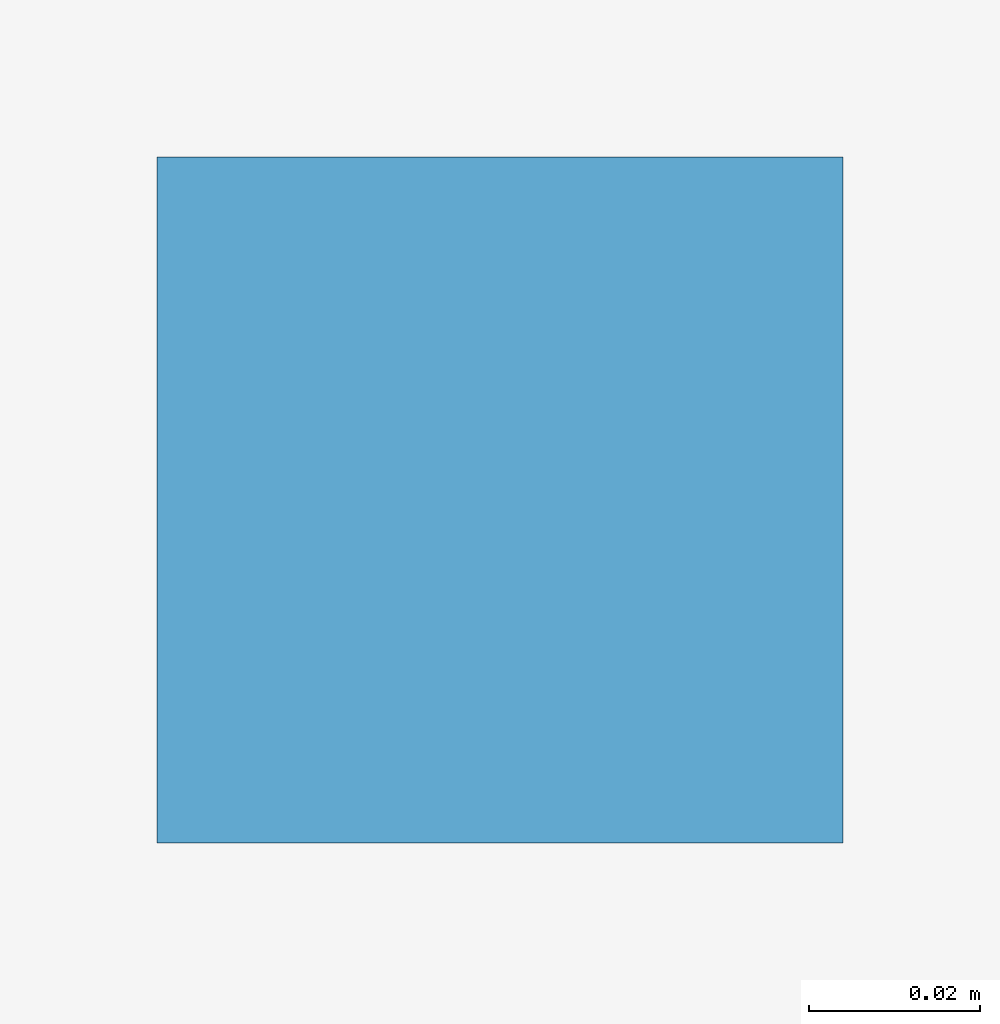
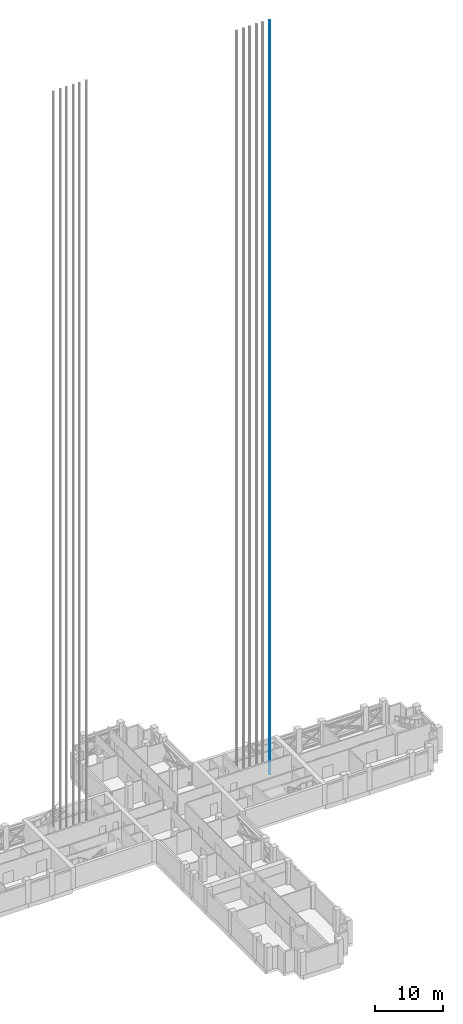
# One storey, part 21 of 22: 1 discrete accessory.
"""IFC4 building model written with IfcOpenShell, lengths in metres."""

import ifcopenshell
import ifcopenshell.guid

model = None  # the IFC model being written
_history = None  # IfcOwnerHistory: only IFC2X3 demands one
_inside = {}  # id of a spatial element -> (the spatial element, [elements in it])
_under = {}  # id of a project, library or spatial element -> (it, [spatial elements below it])
_declared = {}  # id of a project -> (the project, [libraries it declares])
_typed = {}  # id of a type object -> (the type object, [elements of that type])
_made_of = {}  # id of a material, layer set ... -> (it, [elements and type objects made of it])


def new_model(schema):
    """Start an empty IFC model of exactly this schema.

    Asked for "IFC4X3", IfcOpenShell would pick the latest addendum, in which some entities
    have other attributes; the version numbers below select the first issue.
    IFC2X3 requires an IfcOwnerHistory on every rooted entity: one is made here for all.
    """
    global model, _history
    if schema == "IFC4X3":
        model = ifcopenshell.file(schema_version=(4, 3, 0, 0))
    else:
        model = ifcopenshell.file(schema=schema)
    _inside.clear()
    _under.clear()
    _declared.clear()
    _typed.clear()
    _made_of.clear()
    _history = None
    if model.schema == "IFC2X3":
        org = make("IfcOrganization", Name="unknown")
        user = make(
            "IfcPersonAndOrganization",
            ThePerson=make("IfcPerson", FamilyName="unknown"),
            TheOrganization=org,
        )
        app = make(
            "IfcApplication",
            ApplicationDeveloper=org,
            Version="unknown",
            ApplicationFullName="unknown",
            ApplicationIdentifier="unknown",
        )
        _history = make(
            "IfcOwnerHistory",
            OwningUser=user,
            OwningApplication=app,
            ChangeAction="ADDED",
            CreationDate=0,
        )
    return model


def make(cls, **values):
    """One entity of the class cls with the attributes given. An attribute that is None is left unset."""
    return model.create_entity(
        cls, **{name: value for name, value in values.items() if value is not None}
    )


def rooted(cls, **values):
    """An entity with a GlobalId (a new one), such as an element, a storey or a relation."""
    return make(cls, GlobalId=ifcopenshell.guid.new(), OwnerHistory=_history, **values)


def si_unit(unit_type, name, prefix=None):
    """IfcSIUnit, for example si_unit("LENGTHUNIT", "METRE", prefix="MILLI")."""
    return make("IfcSIUnit", UnitType=unit_type, Prefix=prefix, Name=name)


def assignment(units):
    """IfcUnitAssignment: the units of a project."""
    return None if units is None else make("IfcUnitAssignment", Units=units)


def point(xyz):
    """IfcCartesianPoint."""
    return None if xyz is None else make("IfcCartesianPoint", Coordinates=xyz)


def direction(xyz):
    """IfcDirection."""
    return None if xyz is None else make("IfcDirection", DirectionRatios=xyz)


def frame(location, z_axis=None, x_axis=None):
    """IfcAxis2Placement3D, a coordinate frame: its origin and axes. An axis left out is left unset."""
    return make(
        "IfcAxis2Placement3D",
        Location=point(location),
        Axis=direction(z_axis),
        RefDirection=direction(x_axis),
    )


def frame_2d(location, x_axis=None):
    """IfcAxis2Placement2D, a coordinate frame in the plane: its origin and x axis."""
    return make(
        "IfcAxis2Placement2D", Location=point(location), RefDirection=direction(x_axis)
    )


def origin():
    """The frame at (0, 0, 0) with its axes left unset."""
    return frame((0.0, 0.0, 0.0))


def origin_2d():
    """The frame at (0, 0) in the plane with its x axis left unset."""
    return frame_2d((0.0, 0.0))


def place(relative_to, where):
    """IfcLocalPlacement: puts the frame where relative to a parent placement (None: the world)."""
    return make(
        "IfcLocalPlacement", PlacementRelTo=relative_to, RelativePlacement=where
    )


def context(
    kind, dimensions, precision=None, world=None, true_north=None, identifier=None
):
    """IfcGeometricRepresentationContext, for example the 3D "Model" context."""
    return make(
        "IfcGeometricRepresentationContext",
        ContextIdentifier=identifier,
        ContextType=kind,
        CoordinateSpaceDimension=dimensions,
        Precision=precision,
        WorldCoordinateSystem=world,
        TrueNorth=true_north,
    )


def subcontext(parent, identifier, kind, view, scale=None):
    """IfcGeometricRepresentationSubContext, for example "Body" below "Model"."""
    return make(
        "IfcGeometricRepresentationSubContext",
        ContextIdentifier=identifier,
        ContextType=kind,
        ParentContext=parent,
        TargetScale=scale,
        TargetView=view,
    )


def project(units=None, contexts=None):
    """IfcProject with its units and contexts."""
    return rooted(
        "IfcProject",
        Name="project",
        RepresentationContexts=contexts,
        UnitsInContext=assignment(units),
    )


def spatial(cls, under=None, at=None, **own):
    """A site, building, storey or space (cls), placed at a placement, below another one or the project."""
    s = rooted(cls, ObjectPlacement=at, **own)
    if under is not None:
        _under.setdefault(under.id(), (under, []))[1].append(s)
    return s


def profile(cls, at=None, kind="AREA", **sizes):
    """A parametric profile (cls). Its sizes go by their IFC names, for example OverallWidth=200.0."""
    return make(cls, ProfileType=kind, Position=at, **sizes)


def rectangle(**sizes):
    """IfcRectangleProfileDef."""
    return profile("IfcRectangleProfileDef", **sizes)


def extrude(swept, where, along, depth):
    """IfcExtrudedAreaSolid: the profile swept, set in the frame where, extruded along a direction by depth."""
    return make(
        "IfcExtrudedAreaSolid",
        SweptArea=swept,
        Position=where,
        ExtrudedDirection=direction(along),
        Depth=depth,
    )


def shape(context_of_items, identifier, shape_type, items):
    """IfcShapeRepresentation: the items that make up one representation, for example the "Body"."""
    return make(
        "IfcShapeRepresentation",
        ContextOfItems=context_of_items,
        RepresentationIdentifier=identifier,
        RepresentationType=shape_type,
        Items=items,
    )


def material(Name=None, Category=None):
    """IfcMaterial."""
    return make("IfcMaterial", Name=Name, Category=Category)


def made_of(thing, what):
    """Note that an element or type object is made of a material, layer set ...; save() writes the relation."""
    if what is not None:
        _made_of.setdefault(what.id(), (what, []))[1].append(thing)
    return thing


def element(
    cls,
    number,
    at=None,
    inside=None,
    cuts=None,
    type_object=None,
    material=None,
    context=None,
    identifier="Body",
    shape_type=None,
    held_by="IfcProductDefinitionShape",
    body=None,
    shapes=None,
    **own,
):
    """One element of the class cls, such as IfcWall. Its Tag is "e" and its number.

    at: its placement. inside: the storey or other place that contains it. cuts: it is an
    opening in that element (IfcRelVoidsElement). A single representation is given by context,
    identifier, shape_type and body (its items); several are given by shapes. held_by: the class
    of the entity that holds the representations. save() writes the other relations.
    """
    e = rooted(cls, Tag="e%d" % number, ObjectPlacement=at, **own)
    if body is not None:
        shapes = [shape(context, identifier, shape_type, body)]
    if shapes is not None:
        e.Representation = make(held_by, Representations=shapes)
    if inside is not None:
        _inside.setdefault(inside.id(), (inside, []))[1].append(e)
    if cuts is not None:
        rooted(
            "IfcRelVoidsElement", RelatingBuildingElement=cuts, RelatedOpeningElement=e
        )
    if type_object is not None:
        _typed.setdefault(type_object.id(), (type_object, []))[1].append(e)
    return made_of(e, material)


def aggregate(whole, parts):
    """IfcRelAggregates: a whole, such as a stair, and the parts it consists of."""
    return rooted("IfcRelAggregates", RelatingObject=whole, RelatedObjects=parts)


def save(model, path):
    """Write the relations noted so far, then the file.

    IfcRelAggregates (storeys below a building ...), IfcRelContainedInSpatialStructure (elements
    in a storey), IfcRelDefinesByType, IfcRelAssociatesMaterial and IfcRelDeclares: one each for
    every whole, place, type object, material and project.
    """
    for whole, parts in _under.values():
        aggregate(whole, parts)
    for where, things in _inside.values():
        rooted(
            "IfcRelContainedInSpatialStructure",
            RelatedElements=things,
            RelatingStructure=where,
        )
    for kind, things in _typed.values():
        rooted("IfcRelDefinesByType", RelatedObjects=things, RelatingType=kind)
    for what, things in _made_of.values():
        rooted("IfcRelAssociatesMaterial", RelatedObjects=things, RelatingMaterial=what)
    for by, libraries in _declared.values():
        rooted("IfcRelDeclares", RelatingContext=by, RelatedDefinitions=libraries)
    model.write(path)


model = new_model("IFC4")

# Units and contexts
model_context = context("Model", 3, precision=1e-05, world=origin(), true_north=direction((0.0, 1.0)))
body_context = subcontext(model_context, "Body", "Model", "MODEL_VIEW")
ifc_project = project(units=[si_unit("LENGTHUNIT", "METRE"), si_unit("AREAUNIT", "SQUARE_METRE"), si_unit("VOLUMEUNIT", "CUBIC_METRE"), si_unit("PLANEANGLEUNIT", "RADIAN"), si_unit("MASSUNIT", "GRAM", prefix="KILO")], contexts=[model_context])

# Site, building, storey
site_placement = place(None, origin())
site = spatial("IfcSite", under=ifc_project, at=site_placement, CompositionType="ELEMENT")
building_placement = place(site_placement, origin())
building = spatial("IfcBuilding", under=site, at=building_placement, Name="Fustian Cross Tower", CompositionType="ELEMENT")
storey_placement = place(building_placement, frame((0.0, 0.0, 111.89990234375)))
storey = spatial("IfcBuildingStorey", under=building, at=storey_placement, Name="L35", CompositionType="ELEMENT", Elevation=111.89990234375)

# Discrete accessory
ifc_material = material(Name="Steel S355", Category="steel")
discrete_accessory_placement = place(storey_placement, frame((18.27490234375, 3.7099609375, 0.0), z_axis=(0.0, 0.0, 1.0), x_axis=(1.0, 0.0, 0.0)))
element("IfcDiscreteAccessory", 1, at=discrete_accessory_placement, inside=storey, material=ifc_material, Name="Lift guide rail HR3 2", PredefinedType="NOTDEFINED", context=body_context, shape_type="SweptSolid", body=[
    extrude(rectangle(XDim=0.080078125, YDim=0.080078125, at=origin_2d()), origin(), (0.0, 0.0, 1.0), 134.60009765625),
])

save(model, "model.ifc")
